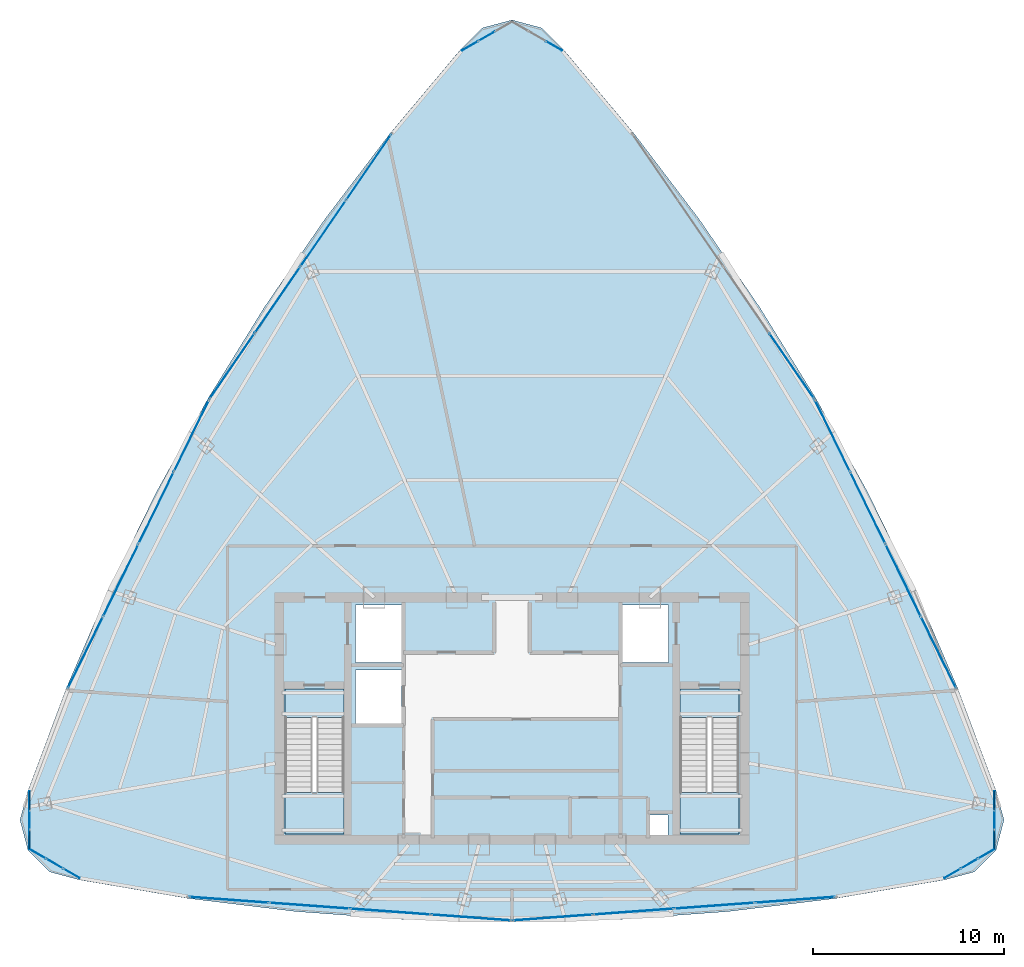
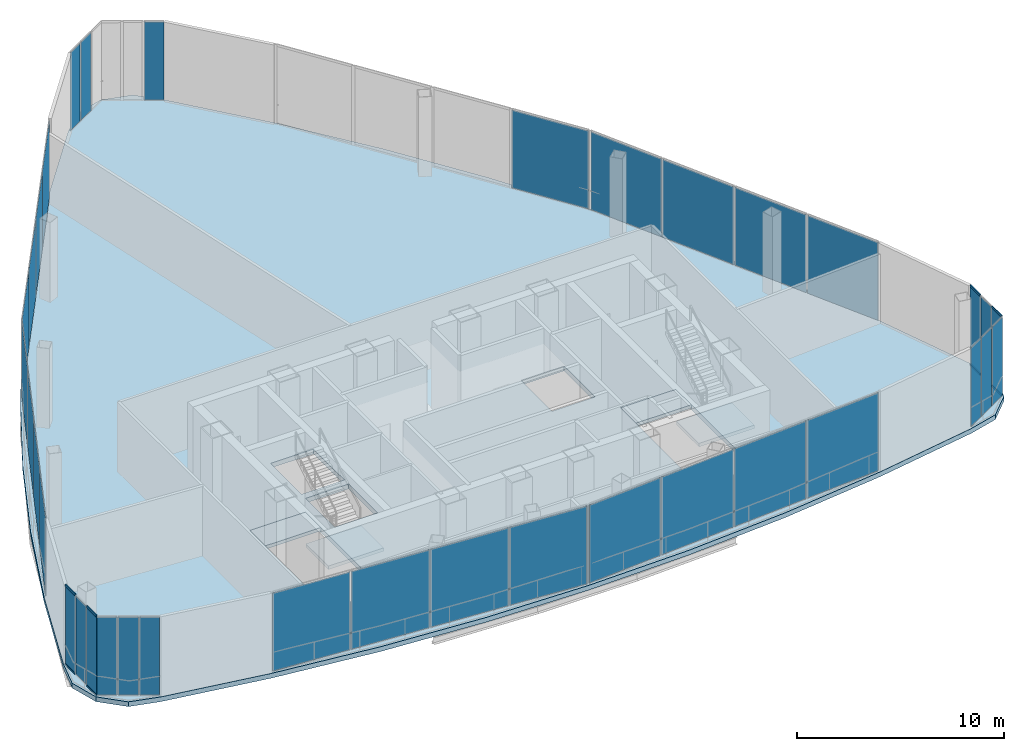
# One storey, part 28 of 33: 36 plates, 8 members, 5 slabs, 14 elements without a shape of their own.
"""IFC4 building model written with IfcOpenShell, lengths in metres."""

from ifc_helpers import new_model, si_unit, direction, frame, origin, origin_2d, place, context, subcontext, project, spatial, polyline, rectangle, hollow_rectangle, outline, extrude, source, transform, mapped, material, layer, layer_set, material_profile, profile_set, type_object, element, aggregate, save


model = new_model("IFC4")

# Units and contexts
model_context = context("Model", 3, precision=1e-05, world=origin(), true_north=direction((0.0, 1.0)))
body_context = subcontext(model_context, "Body", "Model", "MODEL_VIEW")
ifc_project = project(units=[si_unit("LENGTHUNIT", "METRE"), si_unit("AREAUNIT", "SQUARE_METRE"), si_unit("VOLUMEUNIT", "CUBIC_METRE"), si_unit("PLANEANGLEUNIT", "RADIAN"), si_unit("MASSUNIT", "GRAM", prefix="KILO"), si_unit("THERMODYNAMICTEMPERATUREUNIT", "KELVIN"), si_unit("POWERUNIT", "WATT")], contexts=[model_context])

# Site, building, storey
site_placement = place(None, origin())
site = spatial("IfcSite", under=ifc_project, at=site_placement, CompositionType="ELEMENT")
building_placement = place(site_placement, origin())
building = spatial("IfcBuilding", under=site, at=building_placement, Name="Yunzhuo Pagoda Commons", CompositionType="ELEMENT")
storey_placement = place(building_placement, frame((0.0, 0.0, 386.760009765625)))
storey = spatial("IfcBuildingStorey", under=building, at=storey_placement, Name="L96", CompositionType="ELEMENT", Elevation=386.760009765625)

# Curtain wall, members
ifc_material_1 = material(Name="Anodized aluminium 6063-T6", Category="aluminium")
ifc_layer_1 = layer(ifc_material_1, 0.1298828125)
ifc_layer_set_1 = layer_set([ifc_layer_1], Name="Anodized aluminium 6063-T6")
curtain_wall_type_1 = type_object("IfcCurtainWallType", Name="CW-VTX Rounded Corner Curtain Wall", PredefinedType="NOTDEFINED", material=ifc_layer_set_1)
curtain_wall_1_placement = place(storey_placement, origin())
curtain_wall_1 = element("IfcCurtainWall", 1, at=curtain_wall_1_placement, inside=storey, type_object=curtain_wall_type_1, Name="L96 curtain wall CW-L96-CRNV1S1", PredefinedType="NOTDEFINED")
ifc_material_profile = material_profile(ifc_material_1, hollow_rectangle(XDim=0.054931640625, YDim=0.1201171875, WallThickness=0.00341796875, at=origin_2d()), Name="Anodized aluminium 6063-T6")
ifc_profile_set = profile_set([ifc_material_profile], Name="Anodized aluminium 6063-T6")
member_type = type_object("IfcMemberType", Name="CW-VTX-T Transom RHS 120x55x3.5", PredefinedType="USERDEFINED", material=ifc_profile_set)
shared_shape_1 = source(origin(), body_context, "Body", "SweptSolid", [
    extrude(hollow_rectangle(XDim=0.054931640625, YDim=0.1201171875, WallThickness=0.00341796875, at=origin_2d()), origin(), (0.0, 0.0, 1.0), 0.963623046875),
])
member_1_placement = place(storey_placement, frame((22.728759765625, 30.0537109375, 0.027587890625), z_axis=(-0.003546975407, -0.999993709463, 0.0), x_axis=(0.999993709463, -0.003546975407, 0.0)))
member_1 = element("IfcMember", 2, at=member_1_placement, type_object=member_type, Name="CW transom 1.1", ObjectType="TRANSOM", PredefinedType="USERDEFINED", context=body_context, shape_type="MappedRepresentation", body=[
    mapped(shared_shape_1, transform((0.0, 0.0, 0.0), scale=1.0)),
])
member_2_placement = place(storey_placement, frame((22.728759765625, 30.0537109375, 4.6923828125), z_axis=(-0.003546975407, -0.999993709463, 0.0), x_axis=(0.999993709463, -0.003546975407, 0.0)))
member_2 = element("IfcMember", 3, at=member_2_placement, type_object=member_type, Name="CW transom 1.2", ObjectType="TRANSOM", PredefinedType="USERDEFINED", context=body_context, shape_type="MappedRepresentation", body=[
    mapped(shared_shape_1, transform((0.0, 0.0, 0.0), scale=1.0)),
])
member_3_placement = place(storey_placement, frame((22.7216796875, 27.989013671875, 0.027587890625), z_axis=(-0.003800327256, -0.99999277873, 0.0), x_axis=(0.99999277873, -0.003800327256, 0.0)))
member_3 = element("IfcMember", 4, at=member_3_placement, type_object=member_type, Name="CW transom 3.1", ObjectType="TRANSOM", PredefinedType="USERDEFINED", context=body_context, shape_type="MappedRepresentation", body=[
    mapped(shared_shape_1, transform((0.0, 0.0, 0.0), scale=1.0)),
])
member_4_placement = place(storey_placement, frame((22.7216796875, 27.989013671875, 4.6923828125), z_axis=(-0.003800327256, -0.99999277873, 0.0), x_axis=(0.99999277873, -0.003800327256, 0.0)))
member_4 = element("IfcMember", 5, at=member_4_placement, type_object=member_type, Name="CW transom 3.2", ObjectType="TRANSOM", PredefinedType="USERDEFINED", context=body_context, shape_type="MappedRepresentation", body=[
    mapped(shared_shape_1, transform((0.0, 0.0, 0.0), scale=1.0)),
])

curtain_wall_2_placement = place(storey_placement, origin())
curtain_wall_2 = element("IfcCurtainWall", 6, at=curtain_wall_2_placement, inside=storey, type_object=curtain_wall_type_1, Name="L96 curtain wall CW-L96-CRNV2S2", PredefinedType="NOTDEFINED")
member_5_placement = place(storey_placement, frame((73.281982421875, 27.025390625, 0.027587890625), z_axis=(-0.003293622875, 0.999994576009, 0.0), x_axis=(-0.999994576009, -0.003293622875, 0.0)))
member_5 = element("IfcMember", 7, at=member_5_placement, type_object=member_type, Name="CW transom 1.1", ObjectType="TRANSOM", PredefinedType="USERDEFINED", context=body_context, shape_type="MappedRepresentation", body=[
    mapped(shared_shape_1, transform((0.0, 0.0, 0.0), scale=1.0)),
])
member_6_placement = place(storey_placement, frame((73.281982421875, 27.025390625, 4.6923828125), z_axis=(-0.003293622875, 0.999994576009, 0.0), x_axis=(-0.999994576009, -0.003293622875, 0.0)))
member_6 = element("IfcMember", 8, at=member_6_placement, type_object=member_type, Name="CW transom 1.2", ObjectType="TRANSOM", PredefinedType="USERDEFINED", context=body_context, shape_type="MappedRepresentation", body=[
    mapped(shared_shape_1, transform((0.0, 0.0, 0.0), scale=1.0)),
])
member_7_placement = place(storey_placement, frame((73.274658203125, 29.090087890625, 0.027587890625), z_axis=(-0.003546975407, 0.999993709463, 0.0), x_axis=(-0.999993709463, -0.003546975407, 0.0)))
member_7 = element("IfcMember", 9, at=member_7_placement, type_object=member_type, Name="CW transom 3.1", ObjectType="TRANSOM", PredefinedType="USERDEFINED", context=body_context, shape_type="MappedRepresentation", body=[
    mapped(shared_shape_1, transform((0.0, 0.0, 0.0), scale=1.0)),
])
member_8_placement = place(storey_placement, frame((73.274658203125, 29.090087890625, 4.6923828125), z_axis=(-0.003546975407, 0.999993709463, 0.0), x_axis=(-0.999993709463, -0.003546975407, 0.0)))
member_8 = element("IfcMember", 10, at=member_8_placement, type_object=member_type, Name="CW transom 3.2", ObjectType="TRANSOM", PredefinedType="USERDEFINED", context=body_context, shape_type="MappedRepresentation", body=[
    mapped(shared_shape_1, transform((0.0, 0.0, 0.0), scale=1.0)),
])

# Stair, slabs
ifc_material_2 = material(Name="Concrete C40", Category="concrete")
stair_type_1 = type_object("IfcStairType", Name="ST-C1 Core Smokeproof Stair ST1", PredefinedType="HALF_TURN_STAIR", material=ifc_material_2)
stair_1_placement = place(storey_placement, origin())
stair_1 = element("IfcStair", 11, at=stair_1_placement, inside=storey, type_object=stair_type_1, Name="L96 Core smokeproof stair ST1", PredefinedType="HALF_TURN_STAIR")
ifc_layer_2 = layer(ifc_material_2, 0.199951171875)
ifc_layer_set_2 = layer_set([ifc_layer_2], Name="Concrete C40")
slab_type_1 = type_object("IfcSlabType", Name="SL-LND1 Stair Landing Slab 200", PredefinedType="LANDING", material=ifc_layer_set_2)
slab_1_placement = place(storey_placement, frame((0.0, 0.0, 2.300048828125)))
slab_1 = element("IfcSlab", 12, at=slab_1_placement, type_object=slab_type_1, Name="ST1 landing 1", PredefinedType="LANDING", context=body_context, shape_type="SweptSolid", body=[
    extrude(outline(polyline([(36.10009765625, 29.97998046875), (36.10009765625, 27.800048828125), (39.199951171875, 27.800048828125), (39.199951171875, 29.97998046875), (36.10009765625, 29.97998046875)])), origin(), (0.0, 0.0, 1.0), 0.199951171875),
])
slab_2_placement = place(storey_placement, frame((0.0, 0.0, -0.199951171875)))
slab_2 = element("IfcSlab", 13, at=slab_2_placement, type_object=slab_type_1, Name="ST1 floor landing L96", PredefinedType="LANDING", context=body_context, shape_type="SweptSolid", body=[
    extrude(outline(polyline([(36.10009765625, 35.39990234375), (36.10009765625, 33.89990234375), (39.199951171875, 33.89990234375), (39.199951171875, 35.39990234375), (36.10009765625, 35.39990234375)])), origin(), (0.0, 0.0, 1.0), 0.199951171875),
])
aggregate(stair_1, [slab_1, slab_2])

stair_type_2 = type_object("IfcStairType", Name="ST-C2 Core Smokeproof Stair ST2", PredefinedType="HALF_TURN_STAIR", material=ifc_material_2)
stair_2_placement = place(storey_placement, origin())
stair_2 = element("IfcStair", 14, at=stair_2_placement, inside=storey, type_object=stair_type_2, Name="L96 Core smokeproof stair ST2", PredefinedType="HALF_TURN_STAIR")
ifc_layer_3 = layer(ifc_material_2, 0.201904296875)
ifc_layer_set_3 = layer_set([ifc_layer_3], Name="Concrete C40")
slab_type_2 = type_object("IfcSlabType", Name="SL-LND2 Stair Landing Slab 202", PredefinedType="LANDING", material=ifc_layer_set_3)
slab_3_placement = place(storey_placement, frame((0.0, 0.0, 2.300048828125)))
slab_3 = element("IfcSlab", 15, at=slab_3_placement, type_object=slab_type_2, Name="ST2 landing 1", PredefinedType="LANDING", context=body_context, shape_type="SweptSolid", body=[
    extrude(outline(polyline([(56.800048828125, 29.97998046875), (56.800048828125, 27.800048828125), (59.89990234375, 27.800048828125), (59.89990234375, 29.97998046875), (56.800048828125, 29.97998046875)])), origin(), (0.0, 0.0, 1.0), 0.199951171875),
])
slab_4_placement = place(storey_placement, frame((0.0, 0.0, -0.199951171875)))
slab_4 = element("IfcSlab", 16, at=slab_4_placement, type_object=slab_type_2, Name="ST2 floor landing L96", PredefinedType="LANDING", context=body_context, shape_type="SweptSolid", body=[
    extrude(outline(polyline([(56.800048828125, 35.39990234375), (56.800048828125, 33.89990234375), (59.89990234375, 33.89990234375), (59.89990234375, 35.39990234375), (56.800048828125, 35.39990234375)])), origin(), (0.0, 0.0, 1.0), 0.199951171875),
])
aggregate(stair_2, [slab_3, slab_4])

# Slab
ifc_layer_4 = layer(ifc_material_2, 0.280029296875)
ifc_layer_set_4 = layer_set([ifc_layer_4], Name="Concrete C40")
slab_type_3 = type_object("IfcSlabType", Name="SL-POD Podium & Refuge Floor Slab 280", PredefinedType="FLOOR", material=ifc_layer_set_4)
slab_5_placement = place(storey_placement, frame((0.0, 0.0, -0.280029296875)))
element("IfcSlab", 17, at=slab_5_placement, inside=storey, type_object=slab_type_3, Name="L96 structural floor slab", PredefinedType="FLOOR", context=body_context, shape_type="SweptSolid", body=[
    extrude(outline(polyline([(24.64697265625, 35.4443359375), (26.8828125, 40.64111328125), (29.356689453125, 45.69873046875), (32.068603515625, 50.61767578125), (35.018310546875, 55.397705078125), (38.2060546875, 60.038818359375), (41.631591796875, 64.541015625), (45.295166015625, 68.904296875), (46.4404296875, 70.04150390625), (48.0, 70.457275390625), (49.5595703125, 70.04150390625), (50.704833984375, 68.904296875), (54.368408203125, 64.541015625), (57.7939453125, 60.038818359375), (60.981689453125, 55.397705078125), (63.931396484375, 50.61767578125), (66.643310546875, 45.69873046875), (69.1171875, 40.64111328125), (71.35302734375, 35.4443359375), (73.35107421875, 30.10888671875), (73.7783203125, 28.541259765625), (73.3623046875, 26.970458984375), (72.21533203125, 25.819580078125), (70.646240234375, 25.39794921875), (64.984619140625, 24.43359375), (59.322998046875, 23.7451171875), (53.66162109375, 23.331787109375), (48.0, 23.194091796875), (42.33837890625, 23.331787109375), (36.677001953125, 23.7451171875), (31.015380859375, 24.43359375), (25.353759765625, 25.39794921875), (23.78466796875, 25.819580078125), (22.6376953125, 26.970458984375), (22.2216796875, 28.541259765625), (22.64892578125, 30.10888671875), (24.64697265625, 35.4443359375)]), holes=[polyline([(55.179931640625, 28.800048828125), (55.179931640625, 27.699951171875), (56.179931640625, 27.699951171875), (56.179931640625, 28.800048828125), (55.179931640625, 28.800048828125)]), polyline([(39.199951171875, 27.800048828125), (39.199951171875, 35.39990234375), (36.10009765625, 35.39990234375), (36.10009765625, 27.800048828125), (39.199951171875, 27.800048828125)]), polyline([(59.89990234375, 27.800048828125), (59.89990234375, 35.39990234375), (56.800048828125, 35.39990234375), (56.800048828125, 27.800048828125), (59.89990234375, 27.800048828125)]), polyline([(39.800048828125, 36.39990234375), (39.800048828125, 33.60009765625), (42.199951171875, 33.60009765625), (42.199951171875, 36.39990234375), (39.800048828125, 36.39990234375)]), polyline([(42.199951171875, 39.800048828125), (39.800048828125, 39.800048828125), (39.800048828125, 36.800048828125), (42.199951171875, 36.800048828125), (42.199951171875, 39.800048828125)]), polyline([(56.199951171875, 39.800048828125), (53.800048828125, 39.800048828125), (53.800048828125, 36.800048828125), (56.199951171875, 36.800048828125), (56.199951171875, 39.800048828125)])]), origin(), (0.0, 0.0, 1.0), 0.280029296875),
])

# Curtain wall, plates
ifc_layer_5 = layer(ifc_material_1, 0.179931640625)
ifc_layer_set_5 = layer_set([ifc_layer_5], Name="Anodized aluminium 6063-T6")
curtain_wall_type_2 = type_object("IfcCurtainWallType", Name="CW-CRN Crown Gable Glazing System", PredefinedType="NOTDEFINED", material=ifc_layer_set_5)
curtain_wall_3_placement = place(storey_placement, origin())
curtain_wall_3 = element("IfcCurtainWall", 18, at=curtain_wall_3_placement, inside=storey, type_object=curtain_wall_type_2, Name="L96 curtain wall CW-L96-CRNF1G1", PredefinedType="NOTDEFINED")
ifc_material_3 = material(Name="Tempered low-e double glazing", Category="glass")
ifc_layer_6 = layer(ifc_material_3, 0.030029296875)
ifc_layer_set_6 = layer_set([ifc_layer_6], Name="Tempered low-e double glazing")
plate_type_1 = type_object("IfcPlateType", Name="CW-CRN-P Low-E Double Glazing 30", PredefinedType="CURTAIN_PANEL", material=ifc_layer_set_6)
shared_shape_2 = source(origin(), body_context, "Body", "SweptSolid", [
    extrude(rectangle(XDim=4.159912109375, YDim=0.028076171875, at=origin_2d()), origin(), (0.0, 0.0, 1.0), 4.60009765625),
])
plate_1_placement = place(storey_placement, frame((33.160400390625, 24.357421875, 0.06005859375), z_axis=(0.0, 0.0, 1.0), x_axis=(0.997346882924, -0.072795570763, 0.0)))
plate_1 = element("IfcPlate", 19, at=plate_1_placement, type_object=plate_type_1, Name="CW panel 1.1", PredefinedType="CURTAIN_PANEL", context=body_context, shape_type="MappedRepresentation", body=[
    mapped(shared_shape_2, transform((0.0, 0.0, 0.0), scale=1.0)),
])
plate_2_placement = place(storey_placement, frame((45.866455078125, 23.429931640625, 0.06005859375), z_axis=(0.0, 0.0, 1.0), x_axis=(0.997346882924, -0.072795570763, 0.0)))
plate_2 = element("IfcPlate", 20, at=plate_2_placement, type_object=plate_type_1, Name="CW panel 4.1", PredefinedType="CURTAIN_PANEL", context=body_context, shape_type="MappedRepresentation", body=[
    mapped(shared_shape_2, transform((0.0, 0.0, 0.0), scale=1.0)),
])

curtain_wall_4_placement = place(storey_placement, origin())
curtain_wall_4 = element("IfcCurtainWall", 21, at=curtain_wall_4_placement, inside=storey, type_object=curtain_wall_type_2, Name="L96 curtain wall CW-L96-CRNF1G2", PredefinedType="NOTDEFINED")
plate_3_placement = place(storey_placement, frame((50.133544921875, 23.429931640625, 0.06005859375), z_axis=(0.0, 0.0, 1.0), x_axis=(0.997346851806, 0.072795997095, 0.0)))
plate_3 = element("IfcPlate", 22, at=plate_3_placement, type_object=plate_type_1, Name="CW panel 1.1", PredefinedType="CURTAIN_PANEL", context=body_context, shape_type="MappedRepresentation", body=[
    mapped(shared_shape_2, transform((0.0, 0.0, 0.0), scale=1.0)),
])
plate_4_placement = place(storey_placement, frame((62.839599609375, 24.357421875, 0.06005859375), z_axis=(0.0, 0.0, 1.0), x_axis=(0.997346851806, 0.072795997095, 0.0)))
plate_4 = element("IfcPlate", 23, at=plate_4_placement, type_object=plate_type_1, Name="CW panel 4.1", PredefinedType="CURTAIN_PANEL", context=body_context, shape_type="MappedRepresentation", body=[
    mapped(shared_shape_2, transform((0.0, 0.0, 0.0), scale=1.0)),
])

# Plate
shared_shape_3 = source(origin(), body_context, "Body", "SweptSolid", [
    extrude(rectangle(XDim=4.1923828125, YDim=0.028076171875, at=origin_2d()), origin(), (0.0, 0.0, 1.0), 4.60009765625),
])
plate_5_placement = place(storey_placement, frame((37.390380859375, 24.048583984375, 0.06005859375), z_axis=(0.0, 0.0, 1.0), x_axis=(0.997346882924, -0.072795570763, 0.0)))
plate_5 = element("IfcPlate", 24, at=plate_5_placement, type_object=plate_type_1, Name="CW panel 2.1", PredefinedType="CURTAIN_PANEL", context=body_context, shape_type="MappedRepresentation", body=[
    mapped(shared_shape_3, transform((0.0, 0.0, 0.0), scale=1.0)),
])

plate_6_placement = place(storey_placement, frame((41.636474609375, 23.73876953125, 0.06005859375), z_axis=(0.0, 0.0, 1.0), x_axis=(0.997346882924, -0.072795570763, 0.0)))
plate_6 = element("IfcPlate", 25, at=plate_6_placement, type_object=plate_type_1, Name="CW panel 3.1", PredefinedType="CURTAIN_PANEL", context=body_context, shape_type="MappedRepresentation", body=[
    mapped(shared_shape_3, transform((0.0, 0.0, 0.0), scale=1.0)),
])

aggregate(curtain_wall_3, [plate_1, plate_5, plate_6, plate_2])

plate_7_placement = place(storey_placement, frame((54.363525390625, 23.73876953125, 0.06005859375), z_axis=(0.0, 0.0, 1.0), x_axis=(0.997346851806, 0.072795997095, 0.0)))
plate_7 = element("IfcPlate", 26, at=plate_7_placement, type_object=plate_type_1, Name="CW panel 2.1", PredefinedType="CURTAIN_PANEL", context=body_context, shape_type="MappedRepresentation", body=[
    mapped(shared_shape_3, transform((0.0, 0.0, 0.0), scale=1.0)),
])

plate_8_placement = place(storey_placement, frame((58.609619140625, 24.048583984375, 0.06005859375), z_axis=(0.0, 0.0, 1.0), x_axis=(0.997346851806, 0.072795997095, 0.0)))
plate_8 = element("IfcPlate", 27, at=plate_8_placement, type_object=plate_type_1, Name="CW panel 3.1", PredefinedType="CURTAIN_PANEL", context=body_context, shape_type="MappedRepresentation", body=[
    mapped(shared_shape_3, transform((0.0, 0.0, 0.0), scale=1.0)),
])

aggregate(curtain_wall_4, [plate_3, plate_7, plate_8, plate_4])

# Curtain wall, plates
curtain_wall_5_placement = place(storey_placement, origin())
curtain_wall_5 = element("IfcCurtainWall", 28, at=curtain_wall_5_placement, inside=storey, type_object=curtain_wall_type_2, Name="L96 curtain wall CW-L96-CRNF2G1", PredefinedType="NOTDEFINED")
shared_shape_4 = source(origin(), body_context, "Body", "SweptSolid", [
    extrude(rectangle(XDim=4.125244140625, YDim=0.028076171875, at=origin_2d()), origin(), (0.0, 0.0, 1.0), 4.60009765625),
])
plate_9_placement = place(storey_placement, frame((70.346435546875, 37.320556640625, 0.06005859375), z_axis=(0.0, 0.0, 1.0), x_axis=(-0.439384156839, 0.898299261226, 0.0)))
plate_9 = element("IfcPlate", 29, at=plate_9_placement, type_object=plate_type_1, Name="CW panel 1.1", PredefinedType="CURTAIN_PANEL", context=body_context, shape_type="MappedRepresentation", body=[
    mapped(shared_shape_4, transform((0.0, 0.0, 0.0), scale=1.0)),
])
plate_10_placement = place(storey_placement, frame((64.79443359375, 48.671142578125, 0.06005859375), z_axis=(0.0, 0.0, 1.0), x_axis=(-0.439384156839, 0.898299261226, 0.0)))
plate_10 = element("IfcPlate", 30, at=plate_10_placement, type_object=plate_type_1, Name="CW panel 4.1", PredefinedType="CURTAIN_PANEL", context=body_context, shape_type="MappedRepresentation", body=[
    mapped(shared_shape_4, transform((0.0, 0.0, 0.0), scale=1.0)),
])

# Curtain wall, plate
curtain_wall_6_placement = place(storey_placement, origin())
curtain_wall_6 = element("IfcCurtainWall", 31, at=curtain_wall_6_placement, inside=storey, type_object=curtain_wall_type_2, Name="L96 curtain wall CW-L96-CRNF2G2", PredefinedType="NOTDEFINED")
plate_11_placement = place(storey_placement, frame((62.660888671875, 52.326171875, 0.06005859375), z_axis=(0.0, 0.0, 1.0), x_axis=(-0.566158911561, 0.824296116005, 0.0)))
plate_11 = element("IfcPlate", 32, at=plate_11_placement, type_object=plate_type_1, Name="CW panel 1.1", PredefinedType="CURTAIN_PANEL", context=body_context, shape_type="MappedRepresentation", body=[
    mapped(shared_shape_4, transform((0.0, 0.0, 0.0), scale=1.0)),
])
aggregate(curtain_wall_6, [plate_11])

# Curtain wall, plates
curtain_wall_7_placement = place(storey_placement, origin())
curtain_wall_7 = element("IfcCurtainWall", 33, at=curtain_wall_7_placement, inside=storey, type_object=curtain_wall_type_2, Name="L96 curtain wall CW-L96-CRNF3G1", PredefinedType="NOTDEFINED")
plate_12_placement = place(storey_placement, frame((40.492919921875, 62.74169921875, 0.06005859375), z_axis=(0.0, 0.0, 1.0), x_axis=(-0.566158911561, -0.824296116005, 0.0)))
plate_12 = element("IfcPlate", 34, at=plate_12_placement, type_object=plate_type_1, Name="CW panel 1.1", PredefinedType="CURTAIN_PANEL", context=body_context, shape_type="MappedRepresentation", body=[
    mapped(shared_shape_4, transform((0.0, 0.0, 0.0), scale=1.0)),
])
plate_13_placement = place(storey_placement, frame((33.339111328125, 52.326171875, 0.06005859375), z_axis=(0.0, 0.0, 1.0), x_axis=(-0.566158911561, -0.824296116005, 0.0)))
plate_13 = element("IfcPlate", 35, at=plate_13_placement, type_object=plate_type_1, Name="CW panel 4.1", PredefinedType="CURTAIN_PANEL", context=body_context, shape_type="MappedRepresentation", body=[
    mapped(shared_shape_4, transform((0.0, 0.0, 0.0), scale=1.0)),
])

curtain_wall_8_placement = place(storey_placement, origin())
curtain_wall_8 = element("IfcCurtainWall", 36, at=curtain_wall_8_placement, inside=storey, type_object=curtain_wall_type_2, Name="L96 curtain wall CW-L96-CRNF3G2", PredefinedType="NOTDEFINED")
plate_14_placement = place(storey_placement, frame((31.20556640625, 48.671142578125, 0.06005859375), z_axis=(0.0, 0.0, 1.0), x_axis=(-0.439384156839, -0.898299261226, 0.0)))
plate_14 = element("IfcPlate", 37, at=plate_14_placement, type_object=plate_type_1, Name="CW panel 1.1", PredefinedType="CURTAIN_PANEL", context=body_context, shape_type="MappedRepresentation", body=[
    mapped(shared_shape_4, transform((0.0, 0.0, 0.0), scale=1.0)),
])
plate_15_placement = place(storey_placement, frame((25.653564453125, 37.320556640625, 0.06005859375), z_axis=(0.0, 0.0, 1.0), x_axis=(-0.439384156839, -0.898299261226, 0.0)))
plate_15 = element("IfcPlate", 38, at=plate_15_placement, type_object=plate_type_1, Name="CW panel 4.1", PredefinedType="CURTAIN_PANEL", context=body_context, shape_type="MappedRepresentation", body=[
    mapped(shared_shape_4, transform((0.0, 0.0, 0.0), scale=1.0)),
])

# Plate
shared_shape_5 = source(origin(), body_context, "Body", "SweptSolid", [
    extrude(rectangle(XDim=4.15771484375, YDim=0.028076171875, at=origin_2d()), origin(), (0.0, 0.0, 1.0), 4.60009765625),
])
plate_16_placement = place(storey_placement, frame((68.498046875, 41.09912109375, 0.06005859375), z_axis=(0.0, 0.0, 1.0), x_axis=(-0.439384156839, 0.898299261226, 0.0)))
plate_16 = element("IfcPlate", 39, at=plate_16_placement, type_object=plate_type_1, Name="CW panel 2.1", PredefinedType="CURTAIN_PANEL", context=body_context, shape_type="MappedRepresentation", body=[
    mapped(shared_shape_5, transform((0.0, 0.0, 0.0), scale=1.0)),
])

plate_17_placement = place(storey_placement, frame((66.642578125, 44.892578125, 0.06005859375), z_axis=(0.0, 0.0, 1.0), x_axis=(-0.439384156839, 0.898299261226, 0.0)))
plate_17 = element("IfcPlate", 40, at=plate_17_placement, type_object=plate_type_1, Name="CW panel 3.1", PredefinedType="CURTAIN_PANEL", context=body_context, shape_type="MappedRepresentation", body=[
    mapped(shared_shape_5, transform((0.0, 0.0, 0.0), scale=1.0)),
])

aggregate(curtain_wall_5, [plate_9, plate_16, plate_17, plate_10])

plate_18_placement = place(storey_placement, frame((38.111328125, 59.2744140625, 0.06005859375), z_axis=(0.0, 0.0, 1.0), x_axis=(-0.566158911561, -0.824296116005, 0.0)))
plate_18 = element("IfcPlate", 41, at=plate_18_placement, type_object=plate_type_1, Name="CW panel 2.1", PredefinedType="CURTAIN_PANEL", context=body_context, shape_type="MappedRepresentation", body=[
    mapped(shared_shape_5, transform((0.0, 0.0, 0.0), scale=1.0)),
])

plate_19_placement = place(storey_placement, frame((35.720703125, 55.793701171875, 0.06005859375), z_axis=(0.0, 0.0, 1.0), x_axis=(-0.566158911561, -0.824296116005, 0.0)))
plate_19 = element("IfcPlate", 42, at=plate_19_placement, type_object=plate_type_1, Name="CW panel 3.1", PredefinedType="CURTAIN_PANEL", context=body_context, shape_type="MappedRepresentation", body=[
    mapped(shared_shape_5, transform((0.0, 0.0, 0.0), scale=1.0)),
])

aggregate(curtain_wall_7, [plate_12, plate_18, plate_19, plate_13])

plate_20_placement = place(storey_placement, frame((29.357421875, 44.892578125, 0.06005859375), z_axis=(0.0, 0.0, 1.0), x_axis=(-0.439384156839, -0.898299261226, 0.0)))
plate_20 = element("IfcPlate", 43, at=plate_20_placement, type_object=plate_type_1, Name="CW panel 2.1", PredefinedType="CURTAIN_PANEL", context=body_context, shape_type="MappedRepresentation", body=[
    mapped(shared_shape_5, transform((0.0, 0.0, 0.0), scale=1.0)),
])

plate_21_placement = place(storey_placement, frame((27.501953125, 41.09912109375, 0.06005859375), z_axis=(0.0, 0.0, 1.0), x_axis=(-0.439384156839, -0.898299261226, 0.0)))
plate_21 = element("IfcPlate", 44, at=plate_21_placement, type_object=plate_type_1, Name="CW panel 3.1", PredefinedType="CURTAIN_PANEL", context=body_context, shape_type="MappedRepresentation", body=[
    mapped(shared_shape_5, transform((0.0, 0.0, 0.0), scale=1.0)),
])

aggregate(curtain_wall_8, [plate_14, plate_20, plate_21, plate_15])

ifc_layer_7 = layer(ifc_material_3, 0.02587890625)
ifc_layer_set_7 = layer_set([ifc_layer_7], Name="Tempered low-e double glazing")
plate_type_2 = type_object("IfcPlateType", Name="CW-VTX-P Low-E Double Glazing 26", PredefinedType="CURTAIN_PANEL", material=ifc_layer_set_7)
shared_shape_6 = source(origin(), body_context, "Body", "SweptSolid", [
    extrude(rectangle(XDim=0.963623046875, YDim=0.028076171875, at=origin_2d()), origin(), (0.0, 0.0, 1.0), 4.610107421875),
])
plate_22_placement = place(storey_placement, frame((22.72705078125, 29.57177734375, 0.05517578125), z_axis=(0.0, 0.0, 1.0), x_axis=(-0.003568674704, -0.99999363226, 0.0)))
plate_22 = element("IfcPlate", 45, at=plate_22_placement, type_object=plate_type_2, Name="CW panel 1.1", PredefinedType="CURTAIN_PANEL", context=body_context, shape_type="MappedRepresentation", body=[
    mapped(shared_shape_6, transform((0.0, 0.0, 0.0), scale=1.0)),
])

plate_23_placement = place(storey_placement, frame((22.7197265625, 27.507080078125, 0.05517578125), z_axis=(0.0, 0.0, 1.0), x_axis=(-0.003568674704, -0.99999363226, 0.0)))
plate_23 = element("IfcPlate", 46, at=plate_23_placement, type_object=plate_type_2, Name="CW panel 3.1", PredefinedType="CURTAIN_PANEL", context=body_context, shape_type="MappedRepresentation", body=[
    mapped(shared_shape_6, transform((0.0, 0.0, 0.0), scale=1.0)),
])

# Curtain wall, plates
curtain_wall_9_placement = place(storey_placement, origin())
curtain_wall_9 = element("IfcCurtainWall", 47, at=curtain_wall_9_placement, inside=storey, type_object=curtain_wall_type_1, Name="L96 curtain wall CW-L96-CRNV1S2", PredefinedType="NOTDEFINED")
plate_24_placement = place(storey_placement, frame((23.142333984375, 26.770751953125, 0.05517578125), z_axis=(0.0, 0.0, 1.0), x_axis=(0.865423376836, -0.501041294531, 0.0)))
plate_24 = element("IfcPlate", 48, at=plate_24_placement, type_object=plate_type_2, Name="CW panel 1.1", PredefinedType="CURTAIN_PANEL", context=body_context, shape_type="MappedRepresentation", body=[
    mapped(shared_shape_6, transform((0.0, 0.0, 0.0), scale=1.0)),
])
plate_25_placement = place(storey_placement, frame((24.92919921875, 25.736083984375, 0.05517578125), z_axis=(0.0, 0.0, 1.0), x_axis=(0.865423376836, -0.501041294531, 0.0)))
plate_25 = element("IfcPlate", 49, at=plate_25_placement, type_object=plate_type_2, Name="CW panel 3.1", PredefinedType="CURTAIN_PANEL", context=body_context, shape_type="MappedRepresentation", body=[
    mapped(shared_shape_6, transform((0.0, 0.0, 0.0), scale=1.0)),
])

curtain_wall_10_placement = place(storey_placement, origin())
curtain_wall_10 = element("IfcCurtainWall", 50, at=curtain_wall_10_placement, inside=storey, type_object=curtain_wall_type_1, Name="L96 curtain wall CW-L96-CRNV2S1", PredefinedType="NOTDEFINED")
plate_26_placement = place(storey_placement, frame((71.07080078125, 25.736083984375, 0.05517578125), z_axis=(0.0, 0.0, 1.0), x_axis=(0.865423376836, 0.501041294531, 0.0)))
plate_26 = element("IfcPlate", 51, at=plate_26_placement, type_object=plate_type_2, Name="CW panel 1.1", PredefinedType="CURTAIN_PANEL", context=body_context, shape_type="MappedRepresentation", body=[
    mapped(shared_shape_6, transform((0.0, 0.0, 0.0), scale=1.0)),
])
plate_27_placement = place(storey_placement, frame((72.857666015625, 26.770751953125, 0.05517578125), z_axis=(0.0, 0.0, 1.0), x_axis=(0.865423376836, 0.501041294531, 0.0)))
plate_27 = element("IfcPlate", 52, at=plate_27_placement, type_object=plate_type_2, Name="CW panel 3.1", PredefinedType="CURTAIN_PANEL", context=body_context, shape_type="MappedRepresentation", body=[
    mapped(shared_shape_6, transform((0.0, 0.0, 0.0), scale=1.0)),
])

# Plate
plate_28_placement = place(storey_placement, frame((73.2802734375, 27.507080078125, 0.05517578125), z_axis=(0.0, 0.0, 1.0), x_axis=(-0.003568674704, 0.99999363226, 0.0)))
plate_28 = element("IfcPlate", 53, at=plate_28_placement, type_object=plate_type_2, Name="CW panel 1.1", PredefinedType="CURTAIN_PANEL", context=body_context, shape_type="MappedRepresentation", body=[
    mapped(shared_shape_6, transform((0.0, 0.0, 0.0), scale=1.0)),
])

plate_29_placement = place(storey_placement, frame((73.27294921875, 29.57177734375, 0.05517578125), z_axis=(0.0, 0.0, 1.0), x_axis=(-0.003568674704, 0.99999363226, 0.0)))
plate_29 = element("IfcPlate", 54, at=plate_29_placement, type_object=plate_type_2, Name="CW panel 3.1", PredefinedType="CURTAIN_PANEL", context=body_context, shape_type="MappedRepresentation", body=[
    mapped(shared_shape_6, transform((0.0, 0.0, 0.0), scale=1.0)),
])

shared_shape_7 = source(origin(), body_context, "Body", "SweptSolid", [
    extrude(rectangle(XDim=0.9912109375, YDim=0.028076171875, at=origin_2d()), origin(), (0.0, 0.0, 1.0), 4.610107421875),
])
plate_30_placement = place(storey_placement, frame((22.723388671875, 28.539306640625, 0.05517578125), z_axis=(0.0, 0.0, 1.0), x_axis=(-0.003568674704, -0.99999363226, 0.0)))
plate_30 = element("IfcPlate", 55, at=plate_30_placement, type_object=plate_type_2, Name="CW panel 2.1", PredefinedType="CURTAIN_PANEL", context=body_context, shape_type="MappedRepresentation", body=[
    mapped(shared_shape_7, transform((0.0, 0.0, 0.0), scale=1.0)),
])

aggregate(curtain_wall_1, [member_1, member_2, plate_22, plate_30, member_3, member_4, plate_23])

plate_31_placement = place(storey_placement, frame((24.035888671875, 26.25341796875, 0.05517578125), z_axis=(0.0, 0.0, 1.0), x_axis=(0.865423376836, -0.501041294531, 0.0)))
plate_31 = element("IfcPlate", 56, at=plate_31_placement, type_object=plate_type_2, Name="CW panel 2.1", PredefinedType="CURTAIN_PANEL", context=body_context, shape_type="MappedRepresentation", body=[
    mapped(shared_shape_7, transform((0.0, 0.0, 0.0), scale=1.0)),
])

aggregate(curtain_wall_9, [plate_24, plate_31, plate_25])

plate_32_placement = place(storey_placement, frame((71.964111328125, 26.25341796875, 0.05517578125), z_axis=(0.0, 0.0, 1.0), x_axis=(0.865423376836, 0.501041294531, 0.0)))
plate_32 = element("IfcPlate", 57, at=plate_32_placement, type_object=plate_type_2, Name="CW panel 2.1", PredefinedType="CURTAIN_PANEL", context=body_context, shape_type="MappedRepresentation", body=[
    mapped(shared_shape_7, transform((0.0, 0.0, 0.0), scale=1.0)),
])

aggregate(curtain_wall_10, [plate_26, plate_32, plate_27])

plate_33_placement = place(storey_placement, frame((73.276611328125, 28.539306640625, 0.05517578125), z_axis=(0.0, 0.0, 1.0), x_axis=(-0.003568674704, 0.99999363226, 0.0)))
plate_33 = element("IfcPlate", 58, at=plate_33_placement, type_object=plate_type_2, Name="CW panel 2.1", PredefinedType="CURTAIN_PANEL", context=body_context, shape_type="MappedRepresentation", body=[
    mapped(shared_shape_7, transform((0.0, 0.0, 0.0), scale=1.0)),
])

aggregate(curtain_wall_2, [member_5, member_6, plate_28, plate_33, member_7, member_8, plate_29])

# Curtain wall, plate
curtain_wall_11_placement = place(storey_placement, origin())
curtain_wall_11 = element("IfcCurtainWall", 59, at=curtain_wall_11_placement, inside=storey, type_object=curtain_wall_type_1, Name="L96 curtain wall CW-L96-CRNV3S1", PredefinedType="NOTDEFINED")
shared_shape_8 = source(origin(), body_context, "Body", "SweptSolid", [
    extrude(rectangle(XDim=0.957275390625, YDim=0.028076171875, at=origin_2d()), origin(), (0.0, 0.0, 1.0), 4.610107421875),
])
plate_34_placement = place(storey_placement, frame((50.202392578125, 69.1005859375, 0.05517578125), z_axis=(0.0, 0.0, 1.0), x_axis=(-0.867213359154, 0.497936732633, 0.0)))
plate_34 = element("IfcPlate", 60, at=plate_34_placement, type_object=plate_type_2, Name="CW panel 1.1", PredefinedType="CURTAIN_PANEL", context=body_context, shape_type="MappedRepresentation", body=[
    mapped(shared_shape_8, transform((0.0, 0.0, 0.0), scale=1.0)),
])
aggregate(curtain_wall_11, [plate_34])

# Curtain wall, plates
curtain_wall_12_placement = place(storey_placement, origin())
curtain_wall_12 = element("IfcCurtainWall", 61, at=curtain_wall_12_placement, inside=storey, type_object=curtain_wall_type_1, Name="L96 curtain wall CW-L96-CRNV3S2", PredefinedType="NOTDEFINED")
plate_35_placement = place(storey_placement, frame((45.797607421875, 69.1005859375, 0.05517578125), z_axis=(0.0, 0.0, 1.0), x_axis=(-0.867213359154, -0.497936732633, 0.0)))
plate_35 = element("IfcPlate", 62, at=plate_35_placement, type_object=plate_type_2, Name="CW panel 3.1", PredefinedType="CURTAIN_PANEL", context=body_context, shape_type="MappedRepresentation", body=[
    mapped(shared_shape_8, transform((0.0, 0.0, 0.0), scale=1.0)),
])
shared_shape_9 = source(origin(), body_context, "Body", "SweptSolid", [
    extrude(rectangle(XDim=0.984619140625, YDim=0.028076171875, at=origin_2d()), origin(), (0.0, 0.0, 1.0), 4.610107421875),
])
plate_36_placement = place(storey_placement, frame((46.687255859375, 69.611328125, 0.05517578125), z_axis=(0.0, 0.0, 1.0), x_axis=(-0.867213359154, -0.497936732633, 0.0)))
plate_36 = element("IfcPlate", 63, at=plate_36_placement, type_object=plate_type_2, Name="CW panel 2.1", PredefinedType="CURTAIN_PANEL", context=body_context, shape_type="MappedRepresentation", body=[
    mapped(shared_shape_9, transform((0.0, 0.0, 0.0), scale=1.0)),
])
aggregate(curtain_wall_12, [plate_36, plate_35])

save(model, "model.ifc")
